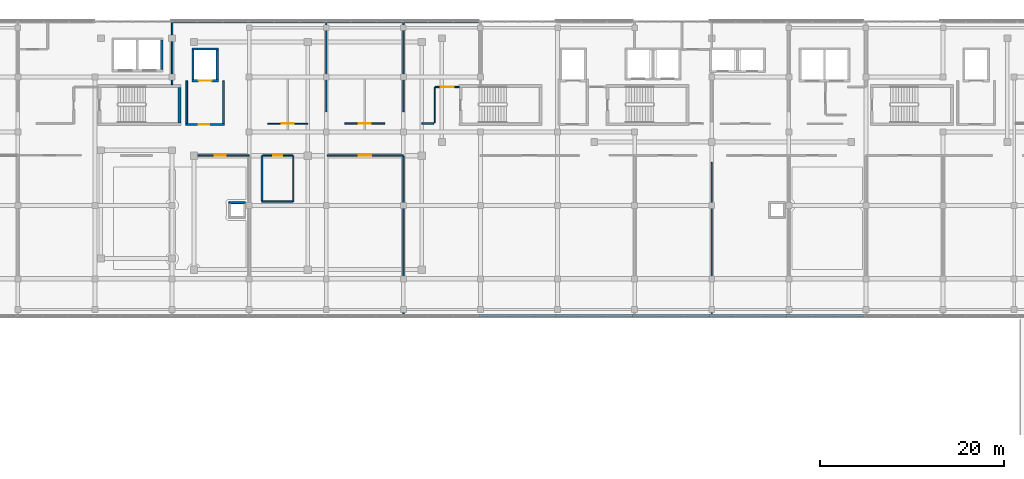
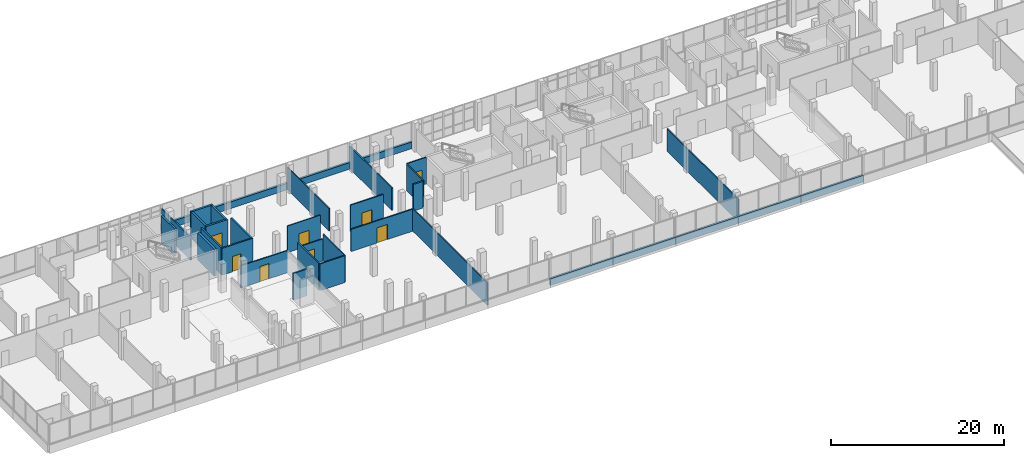
# One storey, part 67 of 76: 35 walls, 8 doors, 8 openings.
"""IFC4 building model written with IfcOpenShell, lengths in metres."""

from ifc_helpers import new_model, si_unit, direction, frame, frame_2d, origin, place, context, subcontext, project, spatial, rectangle, extrude, material, layer, layer_set, type_object, element, fill, save


model = new_model("IFC4")

# Units and contexts
model_context = context("Model", 3, precision=1e-05, world=origin(), true_north=direction((0.0, 1.0)))
body_context = subcontext(model_context, "Body", "Model", "MODEL_VIEW")
ifc_project = project(units=[si_unit("LENGTHUNIT", "METRE"), si_unit("AREAUNIT", "SQUARE_METRE"), si_unit("VOLUMEUNIT", "CUBIC_METRE"), si_unit("PLANEANGLEUNIT", "RADIAN"), si_unit("MASSUNIT", "GRAM", prefix="KILO")], contexts=[model_context])

# Site, building, storey
site_placement = place(None, origin())
site = spatial("IfcSite", under=ifc_project, at=site_placement, CompositionType="ELEMENT")
building_placement = place(site_placement, origin())
building = spatial("IfcBuilding", under=site, at=building_placement, Name="Selatvlak General Hospital", CompositionType="ELEMENT")
storey_placement = place(building_placement, frame((0.0, 0.0, 27.300048828125)))
storey = spatial("IfcBuildingStorey", under=building, at=storey_placement, Name="L06", CompositionType="ELEMENT", Elevation=27.300048828125)

# Walls
ifc_material_1 = material(Name="Precast concrete C40/50 - white Bauhaus spandrel", Category="concrete")
ifc_layer_1 = layer(ifc_material_1, 0.280029296875, Name="Precast concrete C40/50 - white Bauhaus spandrel", Category="concrete")
ifc_layer_set_1 = layer_set([ifc_layer_1], Name="Precast concrete C40/50 - white Bauhaus spandrel")
wall_type_1 = type_object("IfcWallType", Name="WALL-EW-02", PredefinedType="SOLIDWALL", material=ifc_layer_set_1)
wall_1_placement = place(storey_placement, frame((56.318115234375, 119.9990234375, 0.0), z_axis=(0.0, 0.0, 1.0), x_axis=(1.0, 0.0, 0.0)))
element("IfcWall", 1, at=wall_1_placement, inside=storey, type_object=wall_type_1, Name="L06 Bauhaus spandrel sill wall 0530", PredefinedType="SOLIDWALL", context=body_context, shape_type="SweptSolid", body=[
    extrude(rectangle(XDim=8.373779296875, YDim=0.280029296875, at=frame_2d((4.18701171875, 0.0))), origin(), (0.0, 0.0, 1.0), 0.93994140625),
])
for number, where, z_axis, x_axis, name in (
    (2, (64.696044921875, 119.9990234375, 0.0), (0.0, 0.0, 1.0), (1.0, 0.0, 0.0), "L06 Bauhaus spandrel sill wall 0531"),
    (3, (73.074951171875, 119.9990234375, 0.0), (0.0, 0.0, 1.0), (1.0, 0.0, 0.0), "L06 Bauhaus spandrel sill wall 0532"),
    (4, (81.4541015625, 119.9990234375, 0.0), (0.0, 0.0, 1.0), (1.0, 0.0, 0.0), "L06 Bauhaus spandrel sill wall 0533"),
    (5, (131.72412109375, 88.0009765625, 0.0), (0.0, 0.0, 1.0), (-1.0, 0.0, 0.0), "L06 Bauhaus spandrel sill wall 0552"),
    (6, (123.344970703125, 88.0009765625, 0.0), (0.0, 0.0, 1.0), (-1.0, 0.0, 0.0), "L06 Bauhaus spandrel sill wall 0553"),
    (7, (114.966064453125, 88.0009765625, 0.0), (0.0, 0.0, 1.0), (-1.0, 0.0, 0.0), "L06 Bauhaus spandrel sill wall 0554"),
):
    element("IfcWall", number, at=place(storey_placement, frame(where, z_axis=z_axis, x_axis=x_axis)), inside=storey, type_object=wall_type_1, Name=name, PredefinedType="SOLIDWALL", context=body_context, shape_type="SweptSolid", body=[
        extrude(rectangle(XDim=8.375, YDim=0.280029296875, at=frame_2d((4.1875, 0.0))), origin(), (0.0, 0.0, 1.0), 0.93994140625),
    ])
wall_2_placement = place(storey_placement, frame((106.5869140625, 88.0009765625, 0.0), z_axis=(0.0, 0.0, 1.0), x_axis=(-0.9999999932, -0.000116618075, 0.0)))
element("IfcWall", 8, at=wall_2_placement, inside=storey, type_object=wall_type_1, Name="L06 Bauhaus spandrel sill wall 0555", PredefinedType="SOLIDWALL", context=body_context, shape_type="SweptSolid", body=[
    extrude(rectangle(XDim=8.3740234375, YDim=0.280029296875, at=frame_2d((4.18701171875, 0.0))), origin(), (0.0, 0.0, 1.0), 0.93994140625),
])
wall_3_placement = place(storey_placement, frame((98.208984375, 88.0, 0.0), z_axis=(0.0, 0.0, 1.0), x_axis=(-1.0, 0.0, 0.0)))
element("IfcWall", 9, at=wall_3_placement, inside=storey, type_object=wall_type_1, Name="L06 Bauhaus spandrel sill wall 0556", PredefinedType="SOLIDWALL", context=body_context, shape_type="SweptSolid", body=[
    extrude(rectangle(XDim=8.375, YDim=0.280029296875, at=frame_2d((4.1875, 0.0))), origin(), (0.0, 0.0, 1.0), 0.93994140625),
])

# Wall, opening, door
ifc_material_2 = material(Name="Concrete C40/50", Category="concrete")
ifc_layer_2 = layer(ifc_material_2, 0.199951171875, Name="Concrete C40/50", Category="concrete")
ifc_layer_set_2 = layer_set([ifc_layer_2], Name="Concrete C40/50")
wall_type_2 = type_object("IfcWallType", Name="WALL-IW-02", PredefinedType="SOLIDWALL", material=ifc_layer_set_2)
wall_4_placement = place(storey_placement, frame((57.89990234375, 108.800048828125, 0.0), z_axis=(0.0, 0.0, 1.0), x_axis=(1.0, 0.0, 0.0)))
wall_4 = element("IfcWall", 10, at=wall_4_placement, inside=storey, type_object=wall_type_2, Name="Firefighting lobby C1 wall L06 S", PredefinedType="SOLIDWALL", context=body_context, shape_type="SweptSolid", body=[
    extrude(rectangle(XDim=4.2001953125, YDim=0.199951171875, at=frame_2d((2.10009765625, 0.0))), origin(), (0.0, 0.0, 1.0), 3.780029296875),
])
opening_1_placement = place(wall_4_placement, frame((1.425048828125, 0.0, 0.0)))
opening_1 = element("IfcOpeningElement", 11, at=opening_1_placement, cuts=wall_4, Name="Opening D-06", PredefinedType="OPENING", context=body_context, shape_type="SweptSolid", body=[
    extrude(rectangle(XDim=1.14990234375, YDim=2.14990234375, at=frame_2d((0.574951171875, 1.074951171875))), frame((0.0, 0.10986328125, 0.0), z_axis=(0.0, -1.0, 0.0), x_axis=(1.0, 0.0, 0.0)), (0.0, 0.0, 1.0), 0.219970703125),
])
ifc_material_3 = material(Name="Firefighting lobby fire door")
door_type_1 = type_object("IfcDoorType", Name="DOOR-D-06", OperationType="NOTDEFINED", PredefinedType="DOOR", material=ifc_material_3)
door_1_placement = place(opening_1_placement, origin())
door_1 = element("IfcDoor", 12, at=door_1_placement, inside=storey, type_object=door_type_1, Name="Firefighting lobby C1 door on L06", OperationType="SINGLE_SWING_LEFT", OverallHeight=2.14990234375, OverallWidth=1.14990234375, PredefinedType="DOOR", context=body_context, shape_type="SweptSolid", body=[
    extrude(rectangle(XDim=1.14990234375, YDim=2.14990234375, at=frame_2d((0.574951171875, 1.074951171875))), frame((0.0, 0.02490234375, 0.0), z_axis=(0.0, -1.0, 0.0), x_axis=(1.0, 0.0, 0.0)), (0.0, 0.0, 1.0), 0.050048828125),
])
fill(opening_1, door_1)

# Walls
for number, where, z_axis, x_axis, name in (
    (13, (62.0, 108.89990234375, 0.0), (0.0, 0.0, 1.0), (0.0, 1.0, 0.0), "Firefighting lobby C1 wall L06 E"),
    (14, (58.0, 113.550048828125, 0.0), (0.0, 0.0, 1.0), (0.0, -1.0, 0.0), "Firefighting lobby C1 wall L06 W"),
):
    element("IfcWall", number, at=place(storey_placement, frame(where, z_axis=z_axis, x_axis=x_axis)), inside=storey, type_object=wall_type_2, Name=name, PredefinedType="SOLIDWALL", context=body_context, shape_type="SweptSolid", body=[
        extrude(rectangle(XDim=4.650146484375, YDim=0.199951171875, at=frame_2d((2.3251953125, 0.0))), origin(), (0.0, 0.0, 1.0), 3.780029296875),
    ])
wall_5_placement = place(storey_placement, frame((64.39990234375, 100.300048828125, 0.0), z_axis=(0.0, 0.0, 1.0), x_axis=(-1.0, 0.0, 0.0)))
element("IfcWall", 15, at=wall_5_placement, inside=storey, type_object=wall_type_2, Name="Service riser 1 shaft wall L06 N", PredefinedType="SOLIDWALL", context=body_context, shape_type="SweptSolid", body=[
    extrude(rectangle(XDim=1.7998046875, YDim=0.199951171875, at=frame_2d((0.89990234375, 0.0))), origin(), (0.0, 0.0, 1.0), 3.780029296875),
])
ifc_material_4 = material(Name="Acoustic gypsum stud partition")
ifc_layer_3 = layer(ifc_material_4, 0.179931640625, Name="Acoustic gypsum stud partition")
ifc_layer_set_3 = layer_set([ifc_layer_3], Name="Acoustic gypsum stud partition")
wall_type_3 = type_object("IfcWallType", Name="WALL-PT-01", PredefinedType="PARTITIONING", material=ifc_layer_set_3)
wall_6_placement = place(storey_placement, frame((69.535888671875, 100.39990234375, 0.0), z_axis=(0.0, 0.0, 1.0), x_axis=(-1.0, 0.0, 0.0)))
element("IfcWall", 16, at=wall_6_placement, inside=storey, type_object=wall_type_3, Name="L06 clinical partition PT-L06-1959", PredefinedType="PARTITIONING", context=body_context, shape_type="SweptSolid", body=[
    extrude(rectangle(XDim=3.3359375, YDim=0.179931640625, at=frame_2d((1.66796875, 0.0))), origin(), (0.0, 0.0, 1.0), 3.780029296875),
])
wall_7_placement = place(storey_placement, frame((81.60009765625, 119.95703125, 0.0), z_axis=(0.0, 0.0, 1.0), x_axis=(0.0, -1.0, 0.0)))
element("IfcWall", 17, at=wall_7_placement, inside=storey, type_object=wall_type_3, Name="L06 clinical partition PT-L06-2030", PredefinedType="PARTITIONING", context=body_context, shape_type="SweptSolid", body=[
    extrude(rectangle(XDim=9.7470703125, YDim=0.179931640625, at=frame_2d((4.87353515625, 0.0))), origin(), (0.0, 0.0, 1.0), 3.179931640625),
])
wall_8_placement = place(storey_placement, frame((84.886962890625, 108.909912109375, 0.0), z_axis=(0.0, 0.0, 1.0), x_axis=(-1.0, 0.0, 0.0)))
element("IfcWall", 18, at=wall_8_placement, inside=storey, type_object=wall_type_3, Name="L06 clinical partition PT-L06-2035", PredefinedType="PARTITIONING", context=body_context, shape_type="SweptSolid", body=[
    extrude(rectangle(XDim=1.27587890625, YDim=0.179931640625, at=frame_2d((0.637939453125, 0.0))), origin(), (0.0, 0.0, 1.0), 3.780029296875),
])
ifc_layer_4 = layer(ifc_material_4, 0.1650390625, Name="Acoustic gypsum stud partition")
ifc_layer_set_4 = layer_set([ifc_layer_4], Name="Acoustic gypsum stud partition")
wall_type_4 = type_object("IfcWallType", Name="WALL-PT-02", PredefinedType="PARTITIONING", material=ifc_layer_set_4)
wall_9_placement = place(storey_placement, frame((66.199951171875, 100.486083984375, 0.0), z_axis=(0.0, 0.0, 1.0), x_axis=(0.0, 1.0, 0.0)))
element("IfcWall", 19, at=wall_9_placement, inside=storey, type_object=wall_type_4, Name="L06 clinical partition PT-L06-1960", PredefinedType="PARTITIONING", context=body_context, shape_type="SweptSolid", body=[
    extrude(rectangle(XDim=4.933837890625, YDim=0.1650390625, at=frame_2d((2.466796875, 0.0))), origin(), (0.0, 0.0, 1.0), 3.780029296875),
])

# Wall, opening, door
wall_10_placement = place(storey_placement, frame((73.285888671875, 105.43994140625, 0.0), z_axis=(0.0, 0.0, 1.0), x_axis=(1.0, 0.0, 0.0)))
wall_10 = element("IfcWall", 20, at=wall_10_placement, inside=storey, type_object=wall_type_4, Name="L06 clinical partition PT-L06-1986", PredefinedType="PARTITIONING", context=body_context, shape_type="SweptSolid", body=[
    extrude(rectangle(XDim=8.314208984375, YDim=0.1650390625, at=frame_2d((4.1572265625, 0.0))), origin(), (0.0, 0.0, 1.0), 3.1298828125),
])
opening_2_placement = place(wall_10_placement, frame((3.48193359375, 0.0, 0.0)))
opening_2 = element("IfcOpeningElement", 21, at=opening_2_placement, cuts=wall_10, Name="Opening D-10", PredefinedType="OPENING", context=body_context, shape_type="SweptSolid", body=[
    extrude(rectangle(XDim=1.35009765625, YDim=2.14990234375, at=frame_2d((0.675048828125, 1.074951171875))), frame((0.0, 0.092529296875, 0.0), z_axis=(0.0, -1.0, 0.0), x_axis=(1.0, 0.0, 0.0)), (0.0, 0.0, 1.0), 0.18505859375),
])
ifc_material_5 = material(Name="Single patient bed door")
door_type_2 = type_object("IfcDoorType", Name="DOOR-D-10", OperationType="NOTDEFINED", PredefinedType="DOOR", material=ifc_material_5)
door_2_placement = place(opening_2_placement, origin())
door_2 = element("IfcDoor", 22, at=door_2_placement, inside=storey, type_object=door_type_2, Name="L06 Telemetry Nurse Monitoring Room 06 door", OperationType="SINGLE_SWING_RIGHT", OverallHeight=2.14990234375, OverallWidth=1.35009765625, PredefinedType="DOOR", context=body_context, shape_type="SweptSolid", body=[
    extrude(rectangle(XDim=1.35009765625, YDim=2.14990234375, at=frame_2d((0.675048828125, 1.074951171875))), frame((0.0, 0.02490234375, 0.0), z_axis=(0.0, -1.0, 0.0), x_axis=(1.0, 0.0, 0.0)), (0.0, 0.0, 1.0), 0.050048828125),
])
fill(opening_2, door_2)

# Wall
wall_11_placement = place(storey_placement, frame((56.39990234375, 119.95703125, 0.0), z_axis=(0.0, 0.0, 1.0), x_axis=(0.0, -1.0, 0.0)))
element("IfcWall", 23, at=wall_11_placement, inside=storey, type_object=wall_type_4, Name="L06 clinical partition PT-L06-2026", PredefinedType="PARTITIONING", context=body_context, shape_type="SweptSolid", body=[
    extrude(rectangle(XDim=6.81005859375, YDim=0.1650390625, at=frame_2d((3.405029296875, 0.0))), origin(), (0.0, 0.0, 1.0), 3.179931640625),
])

# Wall, opening, door
wall_12_placement = place(storey_placement, frame((79.589111328125, 108.909912109375, 0.0), z_axis=(0.0, 0.0, 1.0), x_axis=(-1.0, 0.0, 0.0)))
wall_12 = element("IfcWall", 24, at=wall_12_placement, inside=storey, type_object=wall_type_4, Name="L06 clinical partition PT-L06-2031", PredefinedType="PARTITIONING", context=body_context, shape_type="SweptSolid", body=[
    extrude(rectangle(XDim=4.378173828125, YDim=0.1650390625, at=frame_2d((2.18896484375, 0.0))), origin(), (0.0, 0.0, 1.0), 3.780029296875),
])
opening_3_placement = place(wall_12_placement, frame((1.513916015625, 0.0, 0.0)))
opening_3 = element("IfcOpeningElement", 25, at=opening_3_placement, cuts=wall_12, Name="Opening D-10", PredefinedType="OPENING", context=body_context, shape_type="SweptSolid", body=[
    extrude(rectangle(XDim=1.35009765625, YDim=2.14990234375, at=frame_2d((0.675048828125, 1.074951171875))), frame((0.0, 0.092529296875, 0.0), z_axis=(0.0, -1.0, 0.0), x_axis=(1.0, 0.0, 0.0)), (0.0, 0.0, 1.0), 0.18505859375),
])
door_3_placement = place(opening_3_placement, origin())
door_3 = element("IfcDoor", 26, at=door_3_placement, inside=storey, type_object=door_type_2, Name="L06 Neurology Diagnostic Room 22 door", OperationType="SINGLE_SWING_RIGHT", OverallHeight=2.14990234375, OverallWidth=1.35009765625, PredefinedType="DOOR", context=body_context, shape_type="SweptSolid", body=[
    extrude(rectangle(XDim=1.35009765625, YDim=2.14990234375, at=frame_2d((0.675048828125, 1.074951171875))), frame((0.0, 0.02490234375, 0.0), z_axis=(0.0, -1.0, 0.0), x_axis=(1.0, 0.0, 0.0)), (0.0, 0.0, 1.0), 0.050048828125),
])
fill(opening_3, door_3)

ifc_layer_5 = layer(ifc_material_4, 0.14990234375, Name="Acoustic gypsum stud partition")
ifc_layer_set_5 = layer_set([ifc_layer_5], Name="Acoustic gypsum stud partition")
wall_type_5 = type_object("IfcWallType", Name="WALL-PT-03", PredefinedType="PARTITIONING", material=ifc_layer_set_5)
wall_13_placement = place(storey_placement, frame((58.534912109375, 105.43994140625, 0.0), z_axis=(0.0, 0.0, 1.0), x_axis=(1.0, 0.0, 0.0)))
wall_13 = element("IfcWall", 27, at=wall_13_placement, inside=storey, type_object=wall_type_5, Name="L06 clinical partition PT-L06-1982", PredefinedType="PARTITIONING", context=body_context, shape_type="SweptSolid", body=[
    extrude(rectangle(XDim=6.26513671875, YDim=0.14990234375, at=frame_2d((3.132568359375, 0.0))), origin(), (0.0, 0.0, 1.0), 3.1298828125),
])
opening_4_placement = place(wall_13_placement, frame((2.532958984375, 0.0, 0.0)))
opening_4 = element("IfcOpeningElement", 28, at=opening_4_placement, cuts=wall_13, Name="Opening D-23", PredefinedType="OPENING", context=body_context, shape_type="SweptSolid", body=[
    extrude(rectangle(XDim=1.199951171875, YDim=2.14990234375, at=frame_2d((0.60009765625, 1.074951171875))), frame((0.0, 0.0849609375, 0.0), z_axis=(0.0, -1.0, 0.0), x_axis=(1.0, 0.0, 0.0)), (0.0, 0.0, 1.0), 0.169921875),
])
ifc_material_6 = material(Name="Endoscopy clinical door")
door_type_3 = type_object("IfcDoorType", Name="DOOR-D-23", OperationType="NOTDEFINED", PredefinedType="DOOR", material=ifc_material_6)
door_4_placement = place(opening_4_placement, origin())
door_4 = element("IfcDoor", 29, at=door_4_placement, inside=storey, type_object=door_type_3, Name="L06 Neurology Diagnostic Room 04 door", OperationType="SINGLE_SWING_LEFT", OverallHeight=2.14990234375, OverallWidth=1.199951171875, PredefinedType="DOOR", context=body_context, shape_type="SweptSolid", body=[
    extrude(rectangle(XDim=1.199951171875, YDim=2.14990234375, at=frame_2d((0.60009765625, 1.074951171875))), frame((0.0, 0.02490234375, 0.0), z_axis=(0.0, -1.0, 0.0), x_axis=(1.0, 0.0, 0.0)), (0.0, 0.0, 1.0), 0.050048828125),
])
fill(opening_4, door_4)

# Walls
wall_14_placement = place(storey_placement, frame((81.60009765625, 105.361083984375, 0.0), z_axis=(0.0, 0.0, 1.0), x_axis=(0.0, -1.0, 0.0)))
element("IfcWall", 30, at=wall_14_placement, inside=storey, type_object=wall_type_5, Name="L06 clinical partition PT-L06-1987", PredefinedType="PARTITIONING", context=body_context, shape_type="SweptSolid", body=[
    extrude(rectangle(XDim=17.319091796875, YDim=0.14990234375, at=frame_2d((8.65966796875, 0.0))), origin(), (0.0, 0.0, 1.0), 3.179931640625),
])
wall_15_placement = place(storey_placement, frame((115.199951171875, 104.68994140625, 0.0), z_axis=(0.0, 0.0, 1.0), x_axis=(0.0, -1.0, 0.0)))
element("IfcWall", 31, at=wall_15_placement, inside=storey, type_object=wall_type_5, Name="L06 clinical partition PT-L06-1997", PredefinedType="PARTITIONING", context=body_context, shape_type="SweptSolid", body=[
    extrude(rectangle(XDim=16.64697265625, YDim=0.14990234375, at=frame_2d((8.323486328125, 0.0))), origin(), (0.0, 0.0, 1.0), 3.179931640625),
])
ifc_material_7 = material(Name="Moisture-resistant clinical partition")
ifc_layer_6 = layer(ifc_material_7, 0.135009765625, Name="Moisture-resistant clinical partition")
ifc_layer_set_6 = layer_set([ifc_layer_6], Name="Moisture-resistant clinical partition")
wall_type_6 = type_object("IfcWallType", Name="WALL-PT-04", PredefinedType="PARTITIONING", material=ifc_layer_set_6)
wall_16_placement = place(storey_placement, frame((69.60009765625, 105.419921875, 0.0), z_axis=(0.0, 0.0, 1.0), x_axis=(0.0, -1.0, 0.0)))
element("IfcWall", 32, at=wall_16_placement, inside=storey, type_object=wall_type_6, Name="L06 clinical partition PT-L06-1958", PredefinedType="PARTITIONING", context=body_context, shape_type="SweptSolid", body=[
    extrude(rectangle(XDim=5.02001953125, YDim=0.135009765625, at=frame_2d((2.510009765625, 0.0))), origin(), (0.0, 0.0, 1.0), 3.780029296875),
])

# Wall, opening, door
wall_17_placement = place(storey_placement, frame((66.279052734375, 105.419921875, 0.0), z_axis=(0.0, 0.0, 1.0), x_axis=(1.0, 0.0, 0.0)))
wall_17 = element("IfcWall", 33, at=wall_17_placement, inside=storey, type_object=wall_type_6, Name="L06 clinical partition PT-L06-1961", PredefinedType="PARTITIONING", context=body_context, shape_type="SweptSolid", body=[
    extrude(rectangle(XDim=3.2568359375, YDim=0.135009765625, at=frame_2d((1.62841796875, 0.0))), origin(), (0.0, 0.0, 1.0), 3.1298828125),
])
opening_5_placement = place(wall_17_placement, frame((1.12890625, 0.0, 0.0)))
opening_5 = element("IfcOpeningElement", 34, at=opening_5_placement, cuts=wall_17, Name="Opening D-03", PredefinedType="OPENING", context=body_context, shape_type="SweptSolid", body=[
    extrude(rectangle(XDim=1.0, YDim=2.10009765625, at=frame_2d((0.5, 1.050048828125))), frame((0.0, 0.077392578125, 0.0), z_axis=(0.0, -1.0, 0.0), x_axis=(1.0, 0.0, 0.0)), (0.0, 0.0, 1.0), 0.155029296875),
])
ifc_material_8 = material(Name="Accessible WC door")
door_type_4 = type_object("IfcDoorType", Name="DOOR-D-03", OperationType="NOTDEFINED", PredefinedType="DOOR", material=ifc_material_8)
door_5_placement = place(opening_5_placement, origin())
door_5 = element("IfcDoor", 35, at=door_5_placement, inside=storey, type_object=door_type_4, Name="L06 Accessible WC door", OperationType="SINGLE_SWING_RIGHT", OverallHeight=2.10009765625, OverallWidth=1.0, PredefinedType="DOOR", context=body_context, shape_type="SweptSolid", body=[
    extrude(rectangle(XDim=1.0, YDim=2.10009765625, at=frame_2d((0.5, 1.050048828125))), frame((0.0, 0.02490234375, 0.0), z_axis=(0.0, -1.0, 0.0), x_axis=(1.0, 0.0, 0.0)), (0.0, 0.0, 1.0), 0.050048828125),
])
fill(opening_5, door_5)

# Wall
wall_18_placement = place(storey_placement, frame((73.199951171875, 119.95703125, 0.0), z_axis=(0.0, 0.0, 1.0), x_axis=(0.0, -1.0, 0.0)))
element("IfcWall", 36, at=wall_18_placement, inside=storey, type_object=wall_type_6, Name="L06 clinical partition PT-L06-2028", PredefinedType="PARTITIONING", context=body_context, shape_type="SweptSolid", body=[
    extrude(rectangle(XDim=9.7470703125, YDim=0.135009765625, at=frame_2d((4.87353515625, 0.0))), origin(), (0.0, 0.0, 1.0), 3.179931640625),
])

# Wall, opening, door
wall_19_placement = place(storey_placement, frame((87.68994140625, 112.89990234375, 0.0), z_axis=(0.0, 0.0, 1.0), x_axis=(-1.0, 0.0, 0.0)))
wall_19 = element("IfcWall", 37, at=wall_19_placement, inside=storey, type_object=wall_type_6, Name="L06 clinical partition PT-L06-2033", PredefinedType="PARTITIONING", context=body_context, shape_type="SweptSolid", body=[
    extrude(rectangle(XDim=2.58984375, YDim=0.135009765625, at=frame_2d((1.294921875, 0.0))), origin(), (0.0, 0.0, 1.0), 3.780029296875),
])
opening_6_placement = place(wall_19_placement, frame((0.594970703125, 0.0, 0.0)))
opening_6 = element("IfcOpeningElement", 38, at=opening_6_placement, cuts=wall_19, Name="Opening D-11", PredefinedType="OPENING", context=body_context, shape_type="SweptSolid", body=[
    extrude(rectangle(XDim=1.39990234375, YDim=2.14990234375, at=frame_2d((0.699951171875, 1.074951171875))), frame((0.0, 0.077392578125, 0.0), z_axis=(0.0, -1.0, 0.0), x_axis=(1.0, 0.0, 0.0)), (0.0, 0.0, 1.0), 0.155029296875),
])
ifc_material_9 = material(Name="Inpatient suite bed door")
door_type_5 = type_object("IfcDoorType", Name="DOOR-D-11", OperationType="NOTDEFINED", PredefinedType="DOOR", material=ifc_material_9)
door_6_placement = place(opening_6_placement, origin())
door_6 = element("IfcDoor", 39, at=door_6_placement, inside=storey, type_object=door_type_5, Name="L06 Cardiac Rehabilitation Room 23 door", OperationType="SINGLE_SWING_LEFT", OverallHeight=2.14990234375, OverallWidth=1.39990234375, PredefinedType="DOOR", context=body_context, shape_type="SweptSolid", body=[
    extrude(rectangle(XDim=1.39990234375, YDim=2.14990234375, at=frame_2d((0.699951171875, 1.074951171875))), frame((0.0, 0.02490234375, 0.0), z_axis=(0.0, -1.0, 0.0), x_axis=(1.0, 0.0, 0.0)), (0.0, 0.0, 1.0), 0.050048828125),
])
fill(opening_6, door_6)

ifc_layer_7 = layer(ifc_material_7, 0.1201171875, Name="Moisture-resistant clinical partition")
ifc_layer_set_7 = layer_set([ifc_layer_7], Name="Moisture-resistant clinical partition")
wall_type_7 = type_object("IfcWallType", Name="WALL-PT-05", PredefinedType="PARTITIONING", material=ifc_layer_set_7)
wall_20_placement = place(storey_placement, frame((71.18896484375, 108.909912109375, 0.0), z_axis=(0.0, 0.0, 1.0), x_axis=(-1.0, 0.0, 0.0)))
wall_20 = element("IfcWall", 40, at=wall_20_placement, inside=storey, type_object=wall_type_7, Name="L06 clinical partition PT-L06-2029", PredefinedType="PARTITIONING", context=body_context, shape_type="SweptSolid", body=[
    extrude(rectangle(XDim=4.3779296875, YDim=0.1201171875, at=frame_2d((2.18896484375, 0.0))), origin(), (0.0, 0.0, 1.0), 3.780029296875),
])
opening_7_placement = place(wall_20_placement, frame((1.5390625, 0.0, 0.0)))
opening_7 = element("IfcOpeningElement", 41, at=opening_7_placement, cuts=wall_20, Name="Opening D-24", PredefinedType="OPENING", context=body_context, shape_type="SweptSolid", body=[
    extrude(rectangle(XDim=1.300048828125, YDim=2.14990234375, at=frame_2d((0.64990234375, 1.074951171875))), frame((0.0, 0.070068359375, 0.0), z_axis=(0.0, -1.0, 0.0), x_axis=(1.0, 0.0, 0.0)), (0.0, 0.0, 1.0), 0.14013671875),
])
ifc_material_10 = material(Name="Oncology bay door")
door_type_6 = type_object("IfcDoorType", Name="DOOR-D-24", OperationType="NOTDEFINED", PredefinedType="DOOR", material=ifc_material_10)
door_7_placement = place(opening_7_placement, origin())
door_7 = element("IfcDoor", 42, at=door_7_placement, inside=storey, type_object=door_type_6, Name="L06 Acute Stroke Inpatient Ward 21 door", OperationType="SINGLE_SWING_LEFT", OverallHeight=2.14990234375, OverallWidth=1.300048828125, PredefinedType="DOOR", context=body_context, shape_type="SweptSolid", body=[
    extrude(rectangle(XDim=1.300048828125, YDim=2.14990234375, at=frame_2d((0.64990234375, 1.074951171875))), frame((0.0, 0.02490234375, 0.0), z_axis=(0.0, -1.0, 0.0), x_axis=(1.0, 0.0, 0.0)), (0.0, 0.0, 1.0), 0.050048828125),
])
fill(opening_7, door_7)

# Walls
wall_21_placement = place(storey_placement, frame((85.0400390625, 112.840087890625, 0.0), z_axis=(0.0, 0.0, 1.0), x_axis=(0.0, -1.0, 0.0)))
element("IfcWall", 43, at=wall_21_placement, inside=storey, type_object=wall_type_7, Name="L06 clinical partition PT-L06-2034", PredefinedType="PARTITIONING", context=body_context, shape_type="SweptSolid", body=[
    extrude(rectangle(XDim=3.8671875, YDim=0.1201171875, at=frame_2d((1.93359375, 0.0))), origin(), (0.0, 0.0, 1.0), 3.780029296875),
])
ifc_material_11 = material(Name="Concrete C45/55", Category="concrete")
ifc_layer_8 = layer(ifc_material_11, 0.300048828125, Name="Concrete C45/55", Category="concrete")
ifc_layer_set_8 = layer_set([ifc_layer_8], Name="Concrete C45/55")
wall_type_8 = type_object("IfcWallType", Name="WALL-SW-02", PredefinedType="SHEAR", material=ifc_layer_set_8)
wall_22_placement = place(storey_placement, frame((57.2099609375, 108.989990234375, 0.0), z_axis=(0.0, 0.0, 1.0), x_axis=(0.0, 1.0, 0.0)))
element("IfcWall", 44, at=wall_22_placement, inside=storey, type_object=wall_type_8, Name="ST-01 core shear wall L06 E", PredefinedType="SHEAR", context=body_context, shape_type="SweptSolid", body=[
    extrude(rectangle(XDim=3.860107421875, YDim=0.300048828125, at=frame_2d((1.93017578125, 0.0))), origin(), (0.0, 0.0, 1.0), 3.780029296875),
])

# Wall, opening, door
ifc_layer_9 = layer(ifc_material_2, 0.25, Name="Concrete C40/50", Category="concrete")
ifc_layer_set_9 = layer_set([ifc_layer_9], Name="Concrete C40/50")
wall_type_9 = type_object("IfcWallType", Name="WALL-SW-03", PredefinedType="SHEAR", material=ifc_layer_set_9)
wall_23_placement = place(storey_placement, frame((58.550048828125, 113.574951171875, 0.0), z_axis=(0.0, 0.0, 1.0), x_axis=(1.0, 0.0, 0.0)))
wall_23 = element("IfcWall", 45, at=wall_23_placement, inside=storey, type_object=wall_type_9, Name="Lift LF-01 shaft wall L06 S", PredefinedType="SHEAR", context=body_context, shape_type="SweptSolid", body=[
    extrude(rectangle(XDim=2.89990234375, YDim=0.25, at=frame_2d((1.449951171875, 0.0))), origin(), (0.0, 0.0, 1.0), 3.780029296875),
])
opening_8_placement = place(wall_23_placement, frame((0.75, 0.0, 0.0)))
opening_8 = element("IfcOpeningElement", 46, at=opening_8_placement, cuts=wall_23, Name="Opening LD-F1", PredefinedType="OPENING", context=body_context, shape_type="SweptSolid", body=[
    extrude(rectangle(XDim=1.39990234375, YDim=2.14990234375, at=frame_2d((0.699951171875, 1.074951171875))), frame((0.0, 0.135009765625, 0.0), z_axis=(0.0, -1.0, 0.0), x_axis=(1.0, 0.0, 0.0)), (0.0, 0.0, 1.0), 0.27001953125),
])
ifc_material_12 = material(Name="Stainless steel fire lift landing door", Category="steel")
door_type_7 = type_object("IfcDoorType", Name="DOOR-LD-F1", OperationType="DOUBLE_DOOR_SLIDING", PredefinedType="DOOR", material=ifc_material_12)
door_8_placement = place(opening_8_placement, origin())
door_8 = element("IfcDoor", 47, at=door_8_placement, inside=storey, type_object=door_type_7, Name="Lift LF-01 sliding landing door on L06", OperationType="DOUBLE_DOOR_SLIDING", OverallHeight=2.14990234375, OverallWidth=1.39990234375, PredefinedType="DOOR", context=body_context, shape_type="SweptSolid", body=[
    extrude(rectangle(XDim=1.39990234375, YDim=2.14990234375, at=frame_2d((0.699951171875, 1.074951171875))), frame((0.0, 0.02490234375, 0.0), z_axis=(0.0, -1.0, 0.0), x_axis=(1.0, 0.0, 0.0)), (0.0, 0.0, 1.0), 0.050048828125),
])
fill(opening_8, door_8)

# Walls
wall_24_placement = place(storey_placement, frame((61.324951171875, 113.699951171875, 0.0), z_axis=(0.0, 0.0, 1.0), x_axis=(0.0, 1.0, 0.0)))
element("IfcWall", 48, at=wall_24_placement, inside=storey, type_object=wall_type_9, Name="Lift LF-01 shaft wall L06 E", PredefinedType="SHEAR", context=body_context, shape_type="SweptSolid", body=[
    extrude(rectangle(XDim=3.199951171875, YDim=0.25, at=frame_2d((1.60009765625, 0.0))), origin(), (0.0, 0.0, 1.0), 3.780029296875),
])
wall_25_placement = place(storey_placement, frame((61.449951171875, 117.02490234375, 0.0), z_axis=(0.0, 0.0, 1.0), x_axis=(-1.0, 0.0, 0.0)))
element("IfcWall", 49, at=wall_25_placement, inside=storey, type_object=wall_type_9, Name="Lift LF-01 shaft wall L06 N", PredefinedType="SHEAR", context=body_context, shape_type="SweptSolid", body=[
    extrude(rectangle(XDim=2.89990234375, YDim=0.25, at=frame_2d((1.449951171875, 0.0))), origin(), (0.0, 0.0, 1.0), 3.780029296875),
])
for number, where, z_axis, x_axis, name in (
    (50, (58.675048828125, 116.89990234375, 0.0), (0.0, 0.0, 1.0), (0.0, -1.0, 0.0), "Lift LF-01 shaft wall L06 W"),
    (51, (55.27490234375, 114.800048828125, 0.0), (0.0, 0.0, 1.0), (0.0, 1.0, 0.0), "Lift LB-01-LB-02 shaft wall L06 E"),
):
    element("IfcWall", number, at=place(storey_placement, frame(where, z_axis=z_axis, x_axis=x_axis)), inside=storey, type_object=wall_type_9, Name=name, PredefinedType="SHEAR", context=body_context, shape_type="SweptSolid", body=[
        extrude(rectangle(XDim=3.199951171875, YDim=0.25, at=frame_2d((1.60009765625, 0.0))), origin(), (0.0, 0.0, 1.0), 3.780029296875),
    ])

save(model, "model.ifc")
